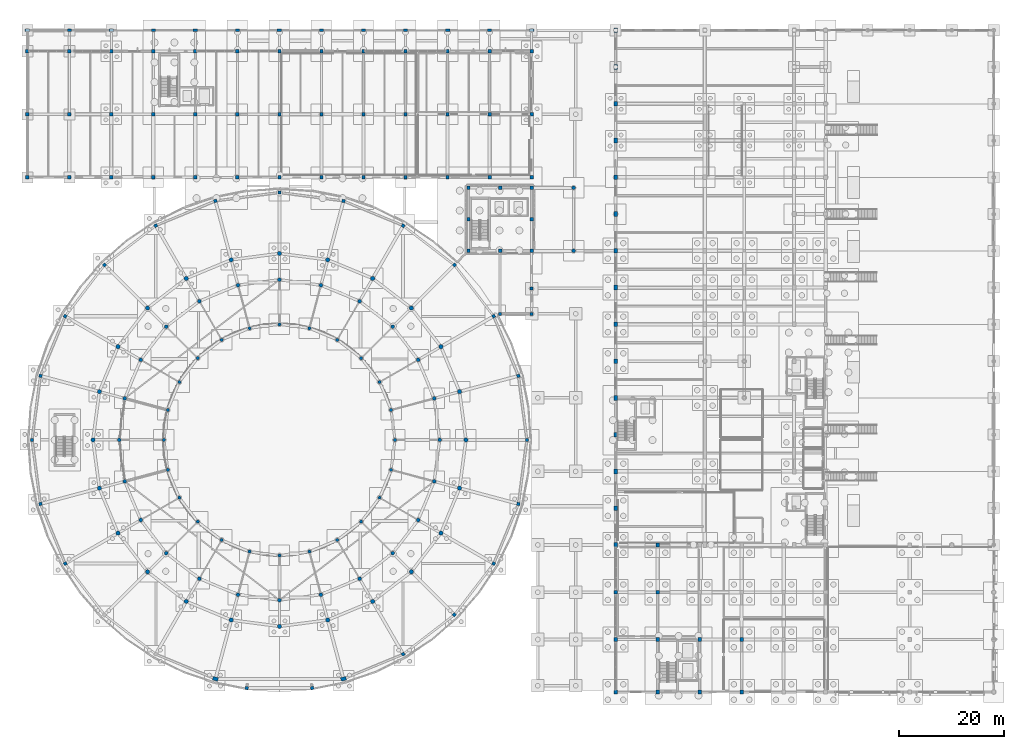
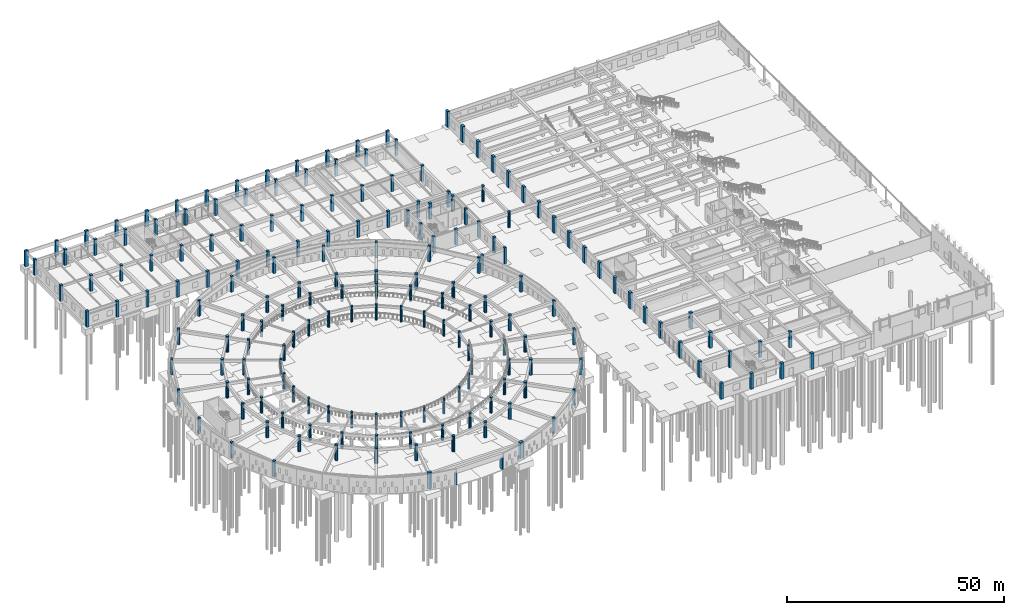
# One storey, part 13 of 84: 186 columns.
"""IFC4 building model written with IfcOpenShell, lengths in metres."""

from ifc_helpers import new_model, si_unit, direction, frame, origin, origin_2d, place, context, subcontext, project, spatial, rectangle, circle, extrude, material, material_profile, profile_set, type_object, element, save


model = new_model("IFC4")

# Units and contexts
model_context = context("Model", 3, precision=1e-05, world=origin(), true_north=direction((0.0, 1.0)))
body_context = subcontext(model_context, "Body", "Model", "MODEL_VIEW")
ifc_project = project(units=[si_unit("LENGTHUNIT", "METRE"), si_unit("AREAUNIT", "SQUARE_METRE"), si_unit("VOLUMEUNIT", "CUBIC_METRE"), si_unit("PLANEANGLEUNIT", "RADIAN"), si_unit("MASSUNIT", "GRAM", prefix="KILO")], contexts=[model_context])

# Site, building, storey
site_placement = place(None, origin())
site = spatial("IfcSite", under=ifc_project, at=site_placement, CompositionType="ELEMENT")
building_placement = place(site_placement, origin())
building = spatial("IfcBuilding", under=site, at=building_placement, Name="Larkveld Mobility Hub", CompositionType="ELEMENT")
storey_placement = place(building_placement, origin())
storey = spatial("IfcBuildingStorey", under=building, at=storey_placement, Name="L00", CompositionType="ELEMENT", Elevation=0.0)

# Columns
ifc_material_1 = material(Name="Precast concrete C50/60", Category="concrete")
ifc_material_profile_1 = material_profile(ifc_material_1, rectangle(XDim=0.64990234375, YDim=0.89990234375, at=origin_2d()), Name="RC COL 650x900")
ifc_profile_set_1 = profile_set([ifc_material_profile_1], Name="Precast concrete C50/60")
column_type_1 = type_object("IfcColumnType", Name="CL-PC6590", PredefinedType="COLUMN", material=ifc_profile_set_1)
for number, where, z_axis, x_axis, name in (
    (1, (112.0, 28.0, 0.0), (0.0, 0.0, 1.0), (1.0, 0.0, 0.0), "Column EV-X112-Y28 (L00)"),
    (2, (112.0, 35.0, 0.0), (0.0, 0.0, 1.0), (1.0, 0.0, 0.0), "Column EV-X112-Y35 (L00)"),
    (3, (112.0, 42.0, 0.0), (0.0, 0.0, 1.0), (1.0, 0.0, 0.0), "Column EV-X112-Y42 (L00)"),
    (4, (112.0, 49.0, 0.0), (0.0, 0.0, 1.0), (1.0, 0.0, 0.0), "Column EV-X112-Y49 (L00)"),
    (5, (112.0, 56.0, 0.0), (0.0, 0.0, 1.0), (1.0, 0.0, 0.0), "Column EV-X112-Y56 (L00)"),
    (6, (112.0, 63.0, 0.0), (0.0, 0.0, 1.0), (1.0, 0.0, 0.0), "Column EV-X112-Y63 (L00)"),
    (7, (112.0, 70.0, 0.0), (0.0, 0.0, 1.0), (1.0, 0.0, 0.0), "Column EV-X112-Y70 (L00)"),
    (8, (112.0, 77.0, 0.0), (0.0, 0.0, 1.0), (1.0, 0.0, 0.0), "Column EV-X112-Y77 (L00)"),
    (9, (112.0, 84.0, 0.0), (0.0, 0.0, 1.0), (1.0, 0.0, 0.0), "Column EV-X112-Y84 (L00)"),
    (10, (112.0, 91.0, 0.0), (0.0, 0.0, 1.0), (1.0, 0.0, 0.0), "Column EV-X112-Y91 (L00)"),
    (11, (112.0, 98.0, 0.0), (0.0, 0.0, 1.0), (1.0, 0.0, 0.0), "Column EV-X112-Y98 (L00)"),
    (12, (112.0, 105.0, 0.0), (0.0, 0.0, 1.0), (1.0, 0.0, 0.0), "Column EV-X112-Y105 (L00)"),
    (13, (112.0, 112.0, 0.0), (0.0, 0.0, 1.0), (1.0, 0.0, 0.0), "Column EV-X112-Y112 (L00)"),
    (14, (112.0, 119.0, 0.0), (0.0, 0.0, 1.0), (1.0, 0.0, 0.0), "Column EV-X112-Y119 (L00)"),
    (15, (112.0, 126.0, 0.0), (0.0, 0.0, 1.0), (1.0, 0.0, 0.0), "Column EV-X112-Y126 (L00)"),
):
    element("IfcColumn", number, at=place(storey_placement, frame(where, z_axis=z_axis, x_axis=x_axis)), inside=storey, type_object=column_type_1, Name=name, PredefinedType="COLUMN", context=body_context, shape_type="SweptSolid", body=[
        extrude(rectangle(XDim=0.64990234375, YDim=0.89990234375, at=origin_2d()), origin(), (0.0, 0.0, 1.0), 4.5),
    ])
ifc_material_profile_2 = material_profile(ifc_material_1, rectangle(XDim=0.5, YDim=0.75, at=origin_2d()), Name="PC PIL 500x750")
ifc_profile_set_2 = profile_set([ifc_material_profile_2], Name="Precast concrete C50/60")
column_type_2 = type_object("IfcColumnType", Name="CL-PIL5075", PredefinedType="PILASTER", material=ifc_profile_set_2)
for number, where, z_axis, x_axis, name in (
    (16, (8.0, 126.0, 0.0), (0.0, 0.0, 1.0), (0.0, 1.0, 0.0), "Column V5-PIL-X8 (L00)"),
    (17, (24.0, 126.0, 0.0), (0.0, 0.0, 1.0), (0.0, 1.0, 0.0), "Column V5-PIL-X24 (L00)"),
    (18, (40.0, 126.0, 0.0), (0.0, 0.0, 1.0), (0.0, 1.0, 0.0), "Column V5-PIL-X40 (L00)"),
    (19, (56.0, 126.0, 0.0), (0.0, 0.0, 1.0), (0.0, 1.0, 0.0), "Column V5-PIL-X56 (L00)"),
    (20, (72.0, 126.0, 0.0), (0.0, 0.0, 1.0), (0.0, 1.0, 0.0), "Column V5-PIL-X72 (L00)"),
    (21, (88.0, 126.0, 0.0), (0.0, 0.0, 1.0), (0.0, 1.0, 0.0), "Column V5-PIL-X88 (L00)"),
):
    element("IfcColumn", number, at=place(storey_placement, frame(where, z_axis=z_axis, x_axis=x_axis)), inside=storey, type_object=column_type_2, Name=name, PredefinedType="PILASTER", context=body_context, shape_type="SweptSolid", body=[
        extrude(rectangle(XDim=0.5, YDim=0.75, at=origin_2d()), origin(), (0.0, 0.0, 1.0), 4.5),
    ])
ifc_material_profile_3 = material_profile(ifc_material_1, rectangle(XDim=0.550048828125, YDim=0.85009765625, at=origin_2d()), Name="PC PIL 550x850")
ifc_profile_set_3 = profile_set([ifc_material_profile_3], Name="Precast concrete C50/60")
column_type_3 = type_object("IfcColumnType", Name="CL-PIL5585", PredefinedType="PILASTER", material=ifc_profile_set_3)
for number, where, z_axis, x_axis, name in (
    (22, (0.0, 126.0, 0.0), (0.0, 0.0, 1.0), (0.0, 1.0, 0.0), "Column V5-PIL-X0 (L00)"),
    (23, (16.0, 126.0, 0.0), (0.0, 0.0, 1.0), (0.0, 1.0, 0.0), "Column V5-PIL-X16 (L00)"),
    (24, (32.0, 126.0, 0.0), (0.0, 0.0, 1.0), (0.0, 1.0, 0.0), "Column V5-PIL-X32 (L00)"),
    (25, (48.0, 126.0, 0.0), (0.0, 0.0, 1.0), (0.0, 1.0, 0.0), "Column V5-PIL-X48 (L00)"),
    (26, (64.0, 126.0, 0.0), (0.0, 0.0, 1.0), (0.0, 1.0, 0.0), "Column V5-PIL-X64 (L00)"),
    (27, (80.0, 126.0, 0.0), (0.0, 0.0, 1.0), (0.0, 1.0, 0.0), "Column V5-PIL-X80 (L00)"),
    (28, (96.0, 126.0, 0.0), (0.0, 0.0, 1.0), (0.0, 1.0, 0.0), "Column V5-PIL-X96 (L00)"),
):
    element("IfcColumn", number, at=place(storey_placement, frame(where, z_axis=z_axis, x_axis=x_axis)), inside=storey, type_object=column_type_3, Name=name, PredefinedType="PILASTER", context=body_context, shape_type="SweptSolid", body=[
        extrude(rectangle(XDim=0.550048828125, YDim=0.85009765625, at=origin_2d()), origin(), (0.0, 0.0, 1.0), 4.5),
    ])
ifc_material_profile_4 = material_profile(ifc_material_1, rectangle(XDim=0.699951171875, YDim=1.0, at=origin_2d()), Name="PC PIL 700x1000")
ifc_profile_set_4 = profile_set([ifc_material_profile_4], Name="Precast concrete C50/60")
column_type_4 = type_object("IfcColumnType", Name="CL-PIL7010", PredefinedType="PILASTER", material=ifc_profile_set_4)
for number, where, z_axis, x_axis, name in (
    (29, (35.81005859375, 2.5048828125, 0.0), (0.0, 0.0, 1.0), (0.258819045103, 0.965925826289, 0.0), "Column DRM-R47-K34 (L00)"),
    (30, (60.18994140625, 2.5048828125, 0.0), (0.0, 0.0, 1.0), (-0.258819045103, 0.965925826289, 0.0), "Column DRM-R47-K38 (L00)"),
):
    element("IfcColumn", number, at=place(storey_placement, frame(where, z_axis=z_axis, x_axis=x_axis)), inside=storey, type_object=column_type_4, Name=name, PredefinedType="PILASTER", context=body_context, shape_type="SweptSolid", body=[
        extrude(rectangle(XDim=0.699951171875, YDim=1.0, at=origin_2d()), origin(), (0.0, 0.0, 1.0), 4.5),
    ])
ifc_material_2 = material(Name="Concrete C40/50", Category="concrete")
ifc_material_profile_5 = material_profile(ifc_material_2, rectangle(XDim=0.60009765625, YDim=0.60009765625, at=origin_2d()), Name="RC COL 600x600")
ifc_profile_set_5 = profile_set([ifc_material_profile_5], Name="Concrete C40/50")
column_type_5 = type_object("IfcColumnType", Name="CL-RC600", PredefinedType="COLUMN", material=ifc_profile_set_5)
for number, where, z_axis, x_axis, name in (
    (31, (95.10009765625, 48.0, 0.0), (0.0, 0.0, 1.0), (1.0, 0.0, 0.0), "Column DRM-R47-K00 (L00)"),
    (32, (93.4951171875, 60.18994140625, 0.0), (0.0, 0.0, 1.0), (0.965925826289, 0.258819045103, 0.0), "Column DRM-R47-K02 (L00)"),
    (33, (88.7900390625, 71.550048828125, 0.0), (0.0, 0.0, 1.0), (0.866025403784, 0.5, 0.0), "Column DRM-R47-K04 (L00)"),
    (34, (81.304931640625, 81.304931640625, 0.0), (0.0, 0.0, 1.0), (0.707106781187, 0.707106781187, 0.0), "Column DRM-R47-K06 (L00)"),
    (35, (71.550048828125, 88.7900390625, 0.0), (0.0, 0.0, 1.0), (0.5, 0.866025403784, 0.0), "Column DRM-R47-K08 (L00)"),
    (36, (60.18994140625, 93.4951171875, 0.0), (0.0, 0.0, 1.0), (0.258819045103, 0.965925826289, 0.0), "Column DRM-R47-K10 (L00)"),
    (37, (48.0, 95.10009765625, 0.0), (0.0, 0.0, 1.0), (0.0, 1.0, 0.0), "Column DRM-R47-K12 (L00)"),
    (38, (35.81005859375, 93.4951171875, 0.0), (0.0, 0.0, 1.0), (-0.258819045103, 0.965925826289, 0.0), "Column DRM-R47-K14 (L00)"),
    (39, (24.449951171875, 88.7900390625, 0.0), (0.0, 0.0, 1.0), (-0.5, 0.866025403784, 0.0), "Column DRM-R47-K16 (L00)"),
    (40, (14.695068359375, 81.304931640625, 0.0), (0.0, 0.0, 1.0), (-0.707106781187, 0.707106781187, 0.0), "Column DRM-R47-K18 (L00)"),
    (41, (7.2099609375, 71.550048828125, 0.0), (0.0, 0.0, 1.0), (-0.866025403784, 0.5, 0.0), "Column DRM-R47-K20 (L00)"),
    (42, (2.5048828125, 60.18994140625, 0.0), (0.0, 0.0, 1.0), (-0.965925826289, 0.258819045103, 0.0), "Column DRM-R47-K22 (L00)"),
    (43, (0.89990234375, 48.0, 0.0), (0.0, 0.0, 1.0), (1.0, 0.0, 0.0), "Column DRM-R47-K24 (L00)"),
    (44, (2.5048828125, 35.81005859375, 0.0), (0.0, 0.0, 1.0), (0.965925826289, 0.258819045103, 0.0), "Column DRM-R47-K26 (L00)"),
    (45, (7.2099609375, 24.449951171875, 0.0), (0.0, 0.0, 1.0), (0.866025403784, 0.5, 0.0), "Column DRM-R47-K28 (L00)"),
    (46, (71.550048828125, 7.2099609375, 0.0), (0.0, 0.0, 1.0), (-0.5, 0.866025403784, 0.0), "Column DRM-R47-K40 (L00)"),
    (47, (81.304931640625, 14.695068359375, 0.0), (0.0, 0.0, 1.0), (-0.707106781187, 0.707106781187, 0.0), "Column DRM-R47-K42 (L00)"),
    (48, (88.7900390625, 24.449951171875, 0.0), (0.0, 0.0, 1.0), (-0.866025403784, 0.5, 0.0), "Column DRM-R47-K44 (L00)"),
    (49, (93.4951171875, 35.81005859375, 0.0), (0.0, 0.0, 1.0), (-0.965925826289, 0.258819045103, 0.0), "Column DRM-R47-K46 (L00)"),
    (50, (90.0, 72.0, 0.0), (0.0, 0.0, 1.0), (1.0, 0.0, 0.0), "Column DLNK-X90-Y72 (L00)"),
    (51, (96.0, 72.0, 0.0), (0.0, 0.0, 1.0), (1.0, 0.0, 0.0), "Column DLNK-X96-Y72 (L00)"),
    (52, (96.0, 76.800048828125, 0.0), (0.0, 0.0, 1.0), (1.0, 0.0, 0.0), "Column DLNK-X96-Y77 (L00)"),
):
    element("IfcColumn", number, at=place(storey_placement, frame(where, z_axis=z_axis, x_axis=x_axis)), inside=storey, type_object=column_type_5, Name=name, PredefinedType="COLUMN", context=body_context, shape_type="SweptSolid", body=[
        extrude(rectangle(XDim=0.60009765625, YDim=0.60009765625, at=origin_2d()), origin(), (0.0, 0.0, 1.0), 4.5),
    ])
for number, where, z_axis, x_axis, name in (
    (53, (41.780029296875, 0.758056640625, 0.0), (0.0, 0.0, 1.0), (0.258819045103, 0.965925826289, 0.0), "Portal Lintel Jamb Pier W"),
    (54, (54.219970703125, 0.758056640625, 0.0), (0.0, 0.0, 1.0), (-0.258819045103, 0.965925826289, 0.0), "Portal Lintel Jamb Pier E"),
):
    element("IfcColumn", number, at=place(storey_placement, frame(where, z_axis=z_axis, x_axis=x_axis)), inside=storey, type_object=column_type_5, Name=name, PredefinedType="COLUMN", context=body_context, shape_type="SweptSolid", body=[
        extrude(rectangle(XDim=0.60009765625, YDim=0.60009765625, at=origin_2d()), origin(), (0.0, 0.0, 1.0), 3.14990234375),
    ])
ifc_material_profile_6 = material_profile(ifc_material_2, rectangle(XDim=0.64990234375, YDim=0.64990234375, at=origin_2d()), Name="RC COL 650x650")
ifc_profile_set_6 = profile_set([ifc_material_profile_6], Name="Concrete C40/50")
column_type_6 = type_object("IfcColumnType", Name="CL-RC650", PredefinedType="COLUMN", material=ifc_profile_set_6)
for number, where, z_axis, x_axis, name in (
    (55, (84.0, 84.0, 0.0), (0.0, 0.0, 1.0), (1.0, 0.0, 0.0), "Column PAV-X84-Y84 (L00)"),
    (56, (84.0, 90.0, 0.0), (0.0, 0.0, 1.0), (1.0, 0.0, 0.0), "Column PAV-X84-Y90 (L00)"),
    (57, (84.0, 96.0, 0.0), (0.0, 0.0, 1.0), (1.0, 0.0, 0.0), "Column PAV-X84-Y96 (L00)"),
    (58, (90.0, 84.0, 0.0), (0.0, 0.0, 1.0), (1.0, 0.0, 0.0), "Column PAV-X90-Y84 (L00)"),
    (59, (90.0, 96.0, 0.0), (0.0, 0.0, 1.0), (1.0, 0.0, 0.0), "Column PAV-X90-Y96 (L00)"),
    (60, (96.0, 84.0, 0.0), (0.0, 0.0, 1.0), (1.0, 0.0, 0.0), "Column PAV-X96-Y84 (L00)"),
    (61, (96.0, 90.0, 0.0), (0.0, 0.0, 1.0), (1.0, 0.0, 0.0), "Column PAV-X96-Y90 (L00)"),
    (62, (96.0, 96.0, 0.0), (0.0, 0.0, 1.0), (1.0, 0.0, 0.0), "Column PAV-X96-Y96 (L00)"),
    (63, (0.0, 98.0, 0.0), (0.0, 0.0, 1.0), (1.0, 0.0, 0.0), "Column V5-X0-Y98 (L00)"),
    (64, (0.0, 110.0, 0.0), (0.0, 0.0, 1.0), (1.0, 0.0, 0.0), "Column V5-X0-Y110 (L00)"),
    (65, (0.0, 122.0, 0.0), (0.0, 0.0, 1.0), (1.0, 0.0, 0.0), "Column V5-X0-Y122 (L00)"),
    (66, (8.0, 98.0, 0.0), (0.0, 0.0, 1.0), (1.0, 0.0, 0.0), "Column V5-X8-Y98 (L00)"),
    (67, (8.0, 110.0, 0.0), (0.0, 0.0, 1.0), (1.0, 0.0, 0.0), "Column V5-X8-Y110 (L00)"),
    (68, (8.0, 122.0, 0.0), (0.0, 0.0, 1.0), (1.0, 0.0, 0.0), "Column V5-X8-Y122 (L00)"),
    (69, (16.0, 98.0, 0.0), (0.0, 0.0, 1.0), (1.0, 0.0, 0.0), "Column V5-X16-Y98 (L00)"),
    (70, (16.0, 110.0, 0.0), (0.0, 0.0, 1.0), (1.0, 0.0, 0.0), "Column V5-X16-Y110 (L00)"),
    (71, (16.0, 122.0, 0.0), (0.0, 0.0, 1.0), (1.0, 0.0, 0.0), "Column V5-X16-Y122 (L00)"),
    (72, (24.0, 98.0, 0.0), (0.0, 0.0, 1.0), (1.0, 0.0, 0.0), "Column V5-X24-Y98 (L00)"),
    (73, (24.0, 110.0, 0.0), (0.0, 0.0, 1.0), (1.0, 0.0, 0.0), "Column V5-X24-Y110 (L00)"),
    (74, (24.0, 122.0, 0.0), (0.0, 0.0, 1.0), (1.0, 0.0, 0.0), "Column V5-X24-Y122 (L00)"),
    (75, (32.0, 98.0, 0.0), (0.0, 0.0, 1.0), (1.0, 0.0, 0.0), "Column V5-X32-Y98 (L00)"),
    (76, (32.0, 110.0, 0.0), (0.0, 0.0, 1.0), (1.0, 0.0, 0.0), "Column V5-X32-Y110 (L00)"),
    (77, (32.0, 122.0, 0.0), (0.0, 0.0, 1.0), (1.0, 0.0, 0.0), "Column V5-X32-Y122 (L00)"),
    (78, (40.0, 98.0, 0.0), (0.0, 0.0, 1.0), (1.0, 0.0, 0.0), "Column V5-X40-Y98 (L00)"),
    (79, (40.0, 110.0, 0.0), (0.0, 0.0, 1.0), (1.0, 0.0, 0.0), "Column V5-X40-Y110 (L00)"),
    (80, (40.0, 122.0, 0.0), (0.0, 0.0, 1.0), (1.0, 0.0, 0.0), "Column V5-X40-Y122 (L00)"),
    (81, (48.0, 98.0, 0.0), (0.0, 0.0, 1.0), (1.0, 0.0, 0.0), "Column V5-X48-Y98 (L00)"),
    (82, (48.0, 110.0, 0.0), (0.0, 0.0, 1.0), (1.0, 0.0, 0.0), "Column V5-X48-Y110 (L00)"),
    (83, (48.0, 122.0, 0.0), (0.0, 0.0, 1.0), (1.0, 0.0, 0.0), "Column V5-X48-Y122 (L00)"),
    (84, (56.0, 98.0, 0.0), (0.0, 0.0, 1.0), (1.0, 0.0, 0.0), "Column V5-X56-Y98 (L00)"),
    (85, (56.0, 110.0, 0.0), (0.0, 0.0, 1.0), (1.0, 0.0, 0.0), "Column V5-X56-Y110 (L00)"),
    (86, (56.0, 122.0, 0.0), (0.0, 0.0, 1.0), (1.0, 0.0, 0.0), "Column V5-X56-Y122 (L00)"),
    (87, (64.0, 98.0, 0.0), (0.0, 0.0, 1.0), (1.0, 0.0, 0.0), "Column V5-X64-Y98 (L00)"),
    (88, (64.0, 110.0, 0.0), (0.0, 0.0, 1.0), (1.0, 0.0, 0.0), "Column V5-X64-Y110 (L00)"),
    (89, (64.0, 122.0, 0.0), (0.0, 0.0, 1.0), (1.0, 0.0, 0.0), "Column V5-X64-Y122 (L00)"),
    (90, (72.0, 98.0, 0.0), (0.0, 0.0, 1.0), (1.0, 0.0, 0.0), "Column V5-X72-Y98 (L00)"),
    (91, (72.0, 110.0, 0.0), (0.0, 0.0, 1.0), (1.0, 0.0, 0.0), "Column V5-X72-Y110 (L00)"),
    (92, (72.0, 122.0, 0.0), (0.0, 0.0, 1.0), (1.0, 0.0, 0.0), "Column V5-X72-Y122 (L00)"),
    (93, (80.0, 98.0, 0.0), (0.0, 0.0, 1.0), (1.0, 0.0, 0.0), "Column V5-X80-Y98 (L00)"),
    (94, (80.0, 110.0, 0.0), (0.0, 0.0, 1.0), (1.0, 0.0, 0.0), "Column V5-X80-Y110 (L00)"),
    (95, (80.0, 122.0, 0.0), (0.0, 0.0, 1.0), (1.0, 0.0, 0.0), "Column V5-X80-Y122 (L00)"),
    (96, (88.0, 98.0, 0.0), (0.0, 0.0, 1.0), (1.0, 0.0, 0.0), "Column V5-X88-Y98 (L00)"),
    (97, (88.0, 110.0, 0.0), (0.0, 0.0, 1.0), (1.0, 0.0, 0.0), "Column V5-X88-Y110 (L00)"),
    (98, (88.0, 122.0, 0.0), (0.0, 0.0, 1.0), (1.0, 0.0, 0.0), "Column V5-X88-Y122 (L00)"),
    (99, (96.0, 98.0, 0.0), (0.0, 0.0, 1.0), (1.0, 0.0, 0.0), "Column V5-X96-Y98 (L00)"),
    (100, (96.0, 110.0, 0.0), (0.0, 0.0, 1.0), (1.0, 0.0, 0.0), "Column V5-X96-Y110 (L00)"),
    (101, (96.0, 122.0, 0.0), (0.0, 0.0, 1.0), (1.0, 0.0, 0.0), "Column V5-X96-Y122 (L00)"),
):
    element("IfcColumn", number, at=place(storey_placement, frame(where, z_axis=z_axis, x_axis=x_axis)), inside=storey, type_object=column_type_6, Name=name, PredefinedType="COLUMN", context=body_context, shape_type="SweptSolid", body=[
        extrude(rectangle(XDim=0.64990234375, YDim=0.64990234375, at=origin_2d()), origin(), (0.0, 0.0, 1.0), 4.5),
    ])
ifc_material_profile_7 = material_profile(ifc_material_2, rectangle(XDim=0.699951171875, YDim=0.699951171875, at=origin_2d()), Name="RC COL 700x700")
ifc_profile_set_7 = profile_set([ifc_material_profile_7], Name="Concrete C40/50")
column_type_7 = type_object("IfcColumnType", Name="CL-RC700", PredefinedType="COLUMN", material=ifc_profile_set_7)
for number, where, z_axis, x_axis, name in (
    (102, (112.0, 0.0, 0.0), (0.0, 0.0, 1.0), (1.0, 0.0, 0.0), "Column V6-X112-Y0 (L00)"),
    (103, (112.0, 10.0, 0.0), (0.0, 0.0, 1.0), (1.0, 0.0, 0.0), "Column V6-X112-Y10 (L00)"),
    (104, (112.0, 19.0, 0.0), (0.0, 0.0, 1.0), (1.0, 0.0, 0.0), "Column V6-X112-Y19 (L00)"),
    (105, (120.0, 0.0, 0.0), (0.0, 0.0, 1.0), (1.0, 0.0, 0.0), "Column V6-X120-Y0 (L00)"),
    (106, (120.0, 10.0, 0.0), (0.0, 0.0, 1.0), (1.0, 0.0, 0.0), "Column V6-X120-Y10 (L00)"),
    (107, (120.0, 19.0, 0.0), (0.0, 0.0, 1.0), (1.0, 0.0, 0.0), "Column V6-X120-Y19 (L00)"),
    (108, (120.0, 28.0, 0.0), (0.0, 0.0, 1.0), (1.0, 0.0, 0.0), "Column V6-X120-Y28 (L00)"),
    (109, (128.0, 0.0, 0.0), (0.0, 0.0, 1.0), (1.0, 0.0, 0.0), "Column V6-X128-Y0 (L00)"),
    (110, (128.0, 10.0, 0.0), (0.0, 0.0, 1.0), (1.0, 0.0, 0.0), "Column V6-X128-Y10 (L00)"),
    (111, (136.0, 0.0, 0.0), (0.0, 0.0, 1.0), (1.0, 0.0, 0.0), "Column V6-X136-Y0 (L00)"),
    (112, (136.0, 10.0, 0.0), (0.0, 0.0, 1.0), (1.0, 0.0, 0.0), "Column V6-X136-Y10 (L00)"),
):
    element("IfcColumn", number, at=place(storey_placement, frame(where, z_axis=z_axis, x_axis=x_axis)), inside=storey, type_object=column_type_7, Name=name, PredefinedType="COLUMN", context=body_context, shape_type="SweptSolid", body=[
        extrude(rectangle(XDim=0.699951171875, YDim=0.699951171875, at=origin_2d()), origin(), (0.0, 0.0, 1.0), 4.5),
    ])
ifc_material_profile_8 = material_profile(ifc_material_2, circle(Radius=0.300048828125, at=origin_2d()), Name="RC COL D600")
ifc_profile_set_8 = profile_set([ifc_material_profile_8], Name="Concrete C40/50")
column_type_8 = type_object("IfcColumnType", Name="CL-RCD600", PredefinedType="COLUMN", material=ifc_profile_set_8)
for number, where, z_axis, x_axis, name in (
    (113, (70.0, 48.0, 0.0), (0.0, 0.0, 1.0), (1.0, 0.0, 0.0), "Column DRM-R22-K00 (L00)"),
    (114, (69.25, 53.694091796875, 0.0), (0.0, 0.0, 1.0), (1.0, 0.0, 0.0), "Column DRM-R22-K02 (L00)"),
    (115, (67.052978515625, 59.0, 0.0), (0.0, 0.0, 1.0), (1.0, 0.0, 0.0), "Column DRM-R22-K04 (L00)"),
    (116, (63.555908203125, 63.555908203125, 0.0), (0.0, 0.0, 1.0), (1.0, 0.0, 0.0), "Column DRM-R22-K06 (L00)"),
    (117, (59.0, 67.052978515625, 0.0), (0.0, 0.0, 1.0), (1.0, 0.0, 0.0), "Column DRM-R22-K08 (L00)"),
    (118, (53.694091796875, 69.25, 0.0), (0.0, 0.0, 1.0), (1.0, 0.0, 0.0), "Column DRM-R22-K10 (L00)"),
    (119, (48.0, 70.0, 0.0), (0.0, 0.0, 1.0), (1.0, 0.0, 0.0), "Column DRM-R22-K12 (L00)"),
    (120, (42.305908203125, 69.25, 0.0), (0.0, 0.0, 1.0), (1.0, 0.0, 0.0), "Column DRM-R22-K14 (L00)"),
    (121, (37.0, 67.052978515625, 0.0), (0.0, 0.0, 1.0), (1.0, 0.0, 0.0), "Column DRM-R22-K16 (L00)"),
    (122, (32.444091796875, 63.555908203125, 0.0), (0.0, 0.0, 1.0), (1.0, 0.0, 0.0), "Column DRM-R22-K18 (L00)"),
    (123, (28.947021484375, 59.0, 0.0), (0.0, 0.0, 1.0), (1.0, 0.0, 0.0), "Column DRM-R22-K20 (L00)"),
    (124, (26.75, 53.694091796875, 0.0), (0.0, 0.0, 1.0), (1.0, 0.0, 0.0), "Column DRM-R22-K22 (L00)"),
    (125, (26.0, 48.0, 0.0), (0.0, 0.0, 1.0), (1.0, 0.0, 0.0), "Column DRM-R22-K24 (L00)"),
    (126, (26.75, 42.305908203125, 0.0), (0.0, 0.0, 1.0), (1.0, 0.0, 0.0), "Column DRM-R22-K26 (L00)"),
    (127, (28.947021484375, 37.0, 0.0), (0.0, 0.0, 1.0), (1.0, 0.0, 0.0), "Column DRM-R22-K28 (L00)"),
    (128, (32.444091796875, 32.444091796875, 0.0), (0.0, 0.0, 1.0), (1.0, 0.0, 0.0), "Column DRM-R22-K30 (L00)"),
    (129, (37.0, 28.947021484375, 0.0), (0.0, 0.0, 1.0), (1.0, 0.0, 0.0), "Column DRM-R22-K32 (L00)"),
    (130, (42.305908203125, 26.75, 0.0), (0.0, 0.0, 1.0), (1.0, 0.0, 0.0), "Column DRM-R22-K34 (L00)"),
    (131, (48.0, 26.0, 0.0), (0.0, 0.0, 1.0), (1.0, 0.0, 0.0), "Column DRM-R22-K36 (L00)"),
    (132, (53.694091796875, 26.75, 0.0), (0.0, 0.0, 1.0), (1.0, 0.0, 0.0), "Column DRM-R22-K38 (L00)"),
    (133, (59.0, 28.947021484375, 0.0), (0.0, 0.0, 1.0), (1.0, 0.0, 0.0), "Column DRM-R22-K40 (L00)"),
    (134, (63.555908203125, 32.444091796875, 0.0), (0.0, 0.0, 1.0), (1.0, 0.0, 0.0), "Column DRM-R22-K42 (L00)"),
    (135, (67.052978515625, 37.0, 0.0), (0.0, 0.0, 1.0), (1.0, 0.0, 0.0), "Column DRM-R22-K44 (L00)"),
    (136, (69.25, 42.305908203125, 0.0), (0.0, 0.0, 1.0), (1.0, 0.0, 0.0), "Column DRM-R22-K46 (L00)"),
):
    element("IfcColumn", number, at=place(storey_placement, frame(where, z_axis=z_axis, x_axis=x_axis)), inside=storey, type_object=column_type_8, Name=name, PredefinedType="COLUMN", context=body_context, shape_type="SweptSolid", body=[
        extrude(circle(Radius=0.300048828125, at=origin_2d()), origin(), (0.0, 0.0, 1.0), 4.5),
    ])
ifc_material_profile_9 = material_profile(ifc_material_2, circle(Radius=0.35009765625, at=origin_2d()), Name="RC COL D700")
ifc_profile_set_9 = profile_set([ifc_material_profile_9], Name="Concrete C40/50")
column_type_9 = type_object("IfcColumnType", Name="CL-RCD700", PredefinedType="COLUMN", material=ifc_profile_set_9)
for number, where, z_axis, x_axis, name in (
    (137, (78.5, 48.0, 0.0), (0.0, 0.0, 1.0), (1.0, 0.0, 0.0), "Column DRM-R30-K00 (L00)"),
    (138, (77.4609375, 55.89404296875, 0.0), (0.0, 0.0, 1.0), (1.0, 0.0, 0.0), "Column DRM-R30-K02 (L00)"),
    (139, (74.4140625, 63.25, 0.0), (0.0, 0.0, 1.0), (1.0, 0.0, 0.0), "Column DRM-R30-K04 (L00)"),
    (140, (69.56689453125, 69.56689453125, 0.0), (0.0, 0.0, 1.0), (1.0, 0.0, 0.0), "Column DRM-R30-K06 (L00)"),
    (141, (63.25, 74.4140625, 0.0), (0.0, 0.0, 1.0), (1.0, 0.0, 0.0), "Column DRM-R30-K08 (L00)"),
    (142, (55.89404296875, 77.4609375, 0.0), (0.0, 0.0, 1.0), (1.0, 0.0, 0.0), "Column DRM-R30-K10 (L00)"),
    (143, (48.0, 78.5, 0.0), (0.0, 0.0, 1.0), (1.0, 0.0, 0.0), "Column DRM-R30-K12 (L00)"),
    (144, (40.10595703125, 77.4609375, 0.0), (0.0, 0.0, 1.0), (1.0, 0.0, 0.0), "Column DRM-R30-K14 (L00)"),
    (145, (32.75, 74.4140625, 0.0), (0.0, 0.0, 1.0), (1.0, 0.0, 0.0), "Column DRM-R30-K16 (L00)"),
    (146, (26.43310546875, 69.56689453125, 0.0), (0.0, 0.0, 1.0), (1.0, 0.0, 0.0), "Column DRM-R30-K18 (L00)"),
    (147, (21.5859375, 63.25, 0.0), (0.0, 0.0, 1.0), (1.0, 0.0, 0.0), "Column DRM-R30-K20 (L00)"),
    (148, (18.5390625, 55.89404296875, 0.0), (0.0, 0.0, 1.0), (1.0, 0.0, 0.0), "Column DRM-R30-K22 (L00)"),
    (149, (17.5, 48.0, 0.0), (0.0, 0.0, 1.0), (1.0, 0.0, 0.0), "Column DRM-R30-K24 (L00)"),
    (150, (18.5390625, 40.10595703125, 0.0), (0.0, 0.0, 1.0), (1.0, 0.0, 0.0), "Column DRM-R30-K26 (L00)"),
    (151, (21.5859375, 32.75, 0.0), (0.0, 0.0, 1.0), (1.0, 0.0, 0.0), "Column DRM-R30-K28 (L00)"),
    (152, (26.43310546875, 26.43310546875, 0.0), (0.0, 0.0, 1.0), (1.0, 0.0, 0.0), "Column DRM-R30-K30 (L00)"),
    (153, (32.75, 21.5859375, 0.0), (0.0, 0.0, 1.0), (1.0, 0.0, 0.0), "Column DRM-R30-K32 (L00)"),
    (154, (40.10595703125, 18.5390625, 0.0), (0.0, 0.0, 1.0), (1.0, 0.0, 0.0), "Column DRM-R30-K34 (L00)"),
    (155, (48.0, 17.5, 0.0), (0.0, 0.0, 1.0), (1.0, 0.0, 0.0), "Column DRM-R30-K36 (L00)"),
    (156, (55.89404296875, 18.5390625, 0.0), (0.0, 0.0, 1.0), (1.0, 0.0, 0.0), "Column DRM-R30-K38 (L00)"),
    (157, (63.25, 21.5859375, 0.0), (0.0, 0.0, 1.0), (1.0, 0.0, 0.0), "Column DRM-R30-K40 (L00)"),
    (158, (69.56689453125, 26.43310546875, 0.0), (0.0, 0.0, 1.0), (1.0, 0.0, 0.0), "Column DRM-R30-K42 (L00)"),
    (159, (74.4140625, 32.75, 0.0), (0.0, 0.0, 1.0), (1.0, 0.0, 0.0), "Column DRM-R30-K44 (L00)"),
    (160, (77.4609375, 40.10595703125, 0.0), (0.0, 0.0, 1.0), (1.0, 0.0, 0.0), "Column DRM-R30-K46 (L00)"),
    (161, (104.0, 84.0, 0.0), (0.0, 0.0, 1.0), (1.0, 0.0, 0.0), "Column BRG-X104-Y84 (L00)"),
    (162, (104.0, 96.0, 0.0), (0.0, 0.0, 1.0), (1.0, 0.0, 0.0), "Column BRG-X104-Y96 (L00)"),
):
    element("IfcColumn", number, at=place(storey_placement, frame(where, z_axis=z_axis, x_axis=x_axis)), inside=storey, type_object=column_type_9, Name=name, PredefinedType="COLUMN", context=body_context, shape_type="SweptSolid", body=[
        extrude(circle(Radius=0.35009765625, at=origin_2d()), origin(), (0.0, 0.0, 1.0), 4.5),
    ])
ifc_material_profile_10 = material_profile(ifc_material_2, circle(Radius=0.39990234375, at=origin_2d()), Name="RC COL D800")
ifc_profile_set_10 = profile_set([ifc_material_profile_10], Name="Concrete C40/50")
column_type_10 = type_object("IfcColumnType", Name="CL-RCD800", PredefinedType="COLUMN", material=ifc_profile_set_10)
for number, where, z_axis, x_axis, name in (
    (163, (83.5, 48.0, 0.0), (0.0, 0.0, 1.0), (1.0, 0.0, 0.0), "Column DRM-R35-K00 (L00)"),
    (164, (82.2900390625, 57.18798828125, 0.0), (0.0, 0.0, 1.0), (1.0, 0.0, 0.0), "Column DRM-R35-K02 (L00)"),
    (165, (78.743896484375, 65.75, 0.0), (0.0, 0.0, 1.0), (1.0, 0.0, 0.0), "Column DRM-R35-K04 (L00)"),
    (166, (73.10205078125, 73.10205078125, 0.0), (0.0, 0.0, 1.0), (1.0, 0.0, 0.0), "Column DRM-R35-K06 (L00)"),
    (167, (65.75, 78.743896484375, 0.0), (0.0, 0.0, 1.0), (1.0, 0.0, 0.0), "Column DRM-R35-K08 (L00)"),
    (168, (57.18798828125, 82.2900390625, 0.0), (0.0, 0.0, 1.0), (1.0, 0.0, 0.0), "Column DRM-R35-K10 (L00)"),
    (169, (48.0, 83.5, 0.0), (0.0, 0.0, 1.0), (1.0, 0.0, 0.0), "Column DRM-R35-K12 (L00)"),
    (170, (38.81201171875, 82.2900390625, 0.0), (0.0, 0.0, 1.0), (1.0, 0.0, 0.0), "Column DRM-R35-K14 (L00)"),
    (171, (30.25, 78.743896484375, 0.0), (0.0, 0.0, 1.0), (1.0, 0.0, 0.0), "Column DRM-R35-K16 (L00)"),
    (172, (22.89794921875, 73.10205078125, 0.0), (0.0, 0.0, 1.0), (1.0, 0.0, 0.0), "Column DRM-R35-K18 (L00)"),
    (173, (17.256103515625, 65.75, 0.0), (0.0, 0.0, 1.0), (1.0, 0.0, 0.0), "Column DRM-R35-K20 (L00)"),
    (174, (13.7099609375, 57.18798828125, 0.0), (0.0, 0.0, 1.0), (1.0, 0.0, 0.0), "Column DRM-R35-K22 (L00)"),
    (175, (12.5, 48.0, 0.0), (0.0, 0.0, 1.0), (1.0, 0.0, 0.0), "Column DRM-R35-K24 (L00)"),
    (176, (13.7099609375, 38.81201171875, 0.0), (0.0, 0.0, 1.0), (1.0, 0.0, 0.0), "Column DRM-R35-K26 (L00)"),
    (177, (17.256103515625, 30.25, 0.0), (0.0, 0.0, 1.0), (1.0, 0.0, 0.0), "Column DRM-R35-K28 (L00)"),
    (178, (22.89794921875, 22.89794921875, 0.0), (0.0, 0.0, 1.0), (1.0, 0.0, 0.0), "Column DRM-R35-K30 (L00)"),
    (179, (30.25, 17.256103515625, 0.0), (0.0, 0.0, 1.0), (1.0, 0.0, 0.0), "Column DRM-R35-K32 (L00)"),
    (180, (38.81201171875, 13.7099609375, 0.0), (0.0, 0.0, 1.0), (1.0, 0.0, 0.0), "Column DRM-R35-K34 (L00)"),
    (181, (48.0, 12.5, 0.0), (0.0, 0.0, 1.0), (1.0, 0.0, 0.0), "Column DRM-R35-K36 (L00)"),
    (182, (57.18798828125, 13.7099609375, 0.0), (0.0, 0.0, 1.0), (1.0, 0.0, 0.0), "Column DRM-R35-K38 (L00)"),
    (183, (65.75, 17.256103515625, 0.0), (0.0, 0.0, 1.0), (1.0, 0.0, 0.0), "Column DRM-R35-K40 (L00)"),
    (184, (73.10205078125, 22.89794921875, 0.0), (0.0, 0.0, 1.0), (1.0, 0.0, 0.0), "Column DRM-R35-K42 (L00)"),
    (185, (78.743896484375, 30.25, 0.0), (0.0, 0.0, 1.0), (1.0, 0.0, 0.0), "Column DRM-R35-K44 (L00)"),
    (186, (82.2900390625, 38.81201171875, 0.0), (0.0, 0.0, 1.0), (1.0, 0.0, 0.0), "Column DRM-R35-K46 (L00)"),
):
    element("IfcColumn", number, at=place(storey_placement, frame(where, z_axis=z_axis, x_axis=x_axis)), inside=storey, type_object=column_type_10, Name=name, PredefinedType="COLUMN", context=body_context, shape_type="SweptSolid", body=[
        extrude(circle(Radius=0.39990234375, at=origin_2d()), origin(), (0.0, 0.0, 1.0), 4.5),
    ])

save(model, "model.ifc")
